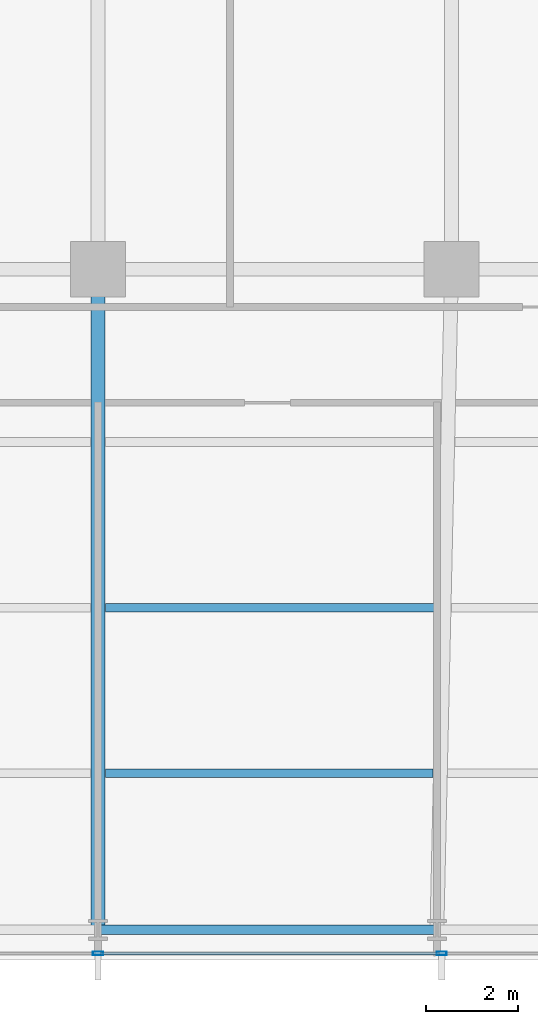
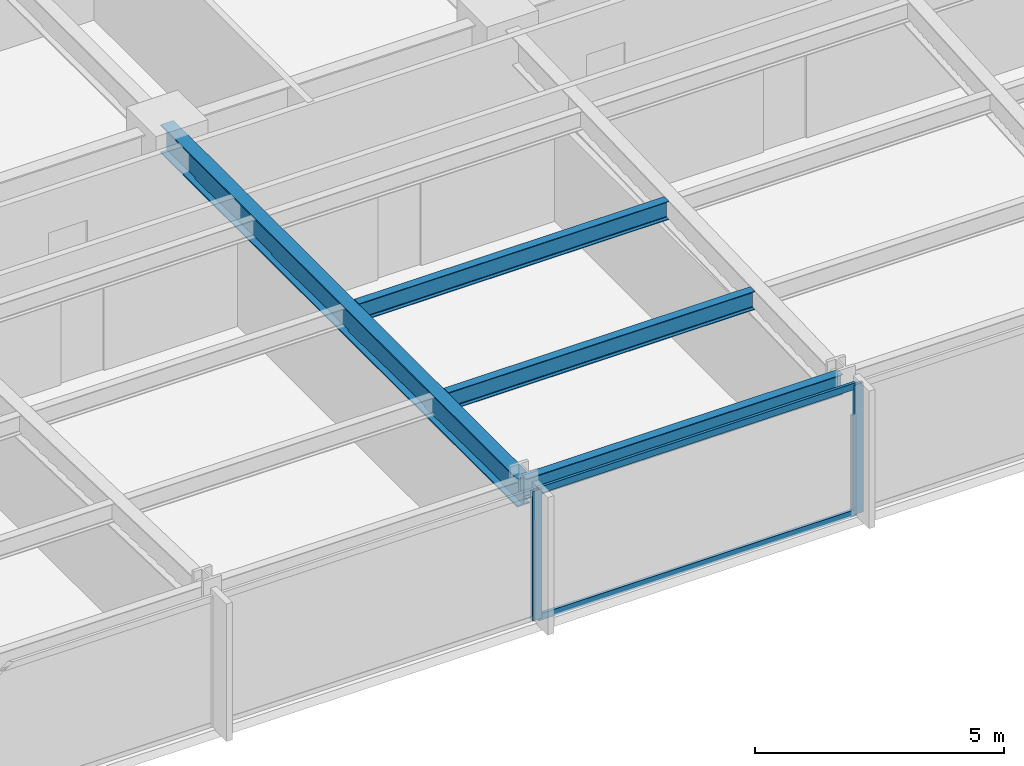
# One storey, part 11 of 32: 4 beams, 4 members, 1 element without a shape of its own.
"""IFC4 building model written with IfcOpenShell, lengths in metres."""

from ifc_helpers import new_model, si_unit, direction, frame, origin, origin_2d, place, context, subcontext, project, spatial, hollow_rectangle, i_section, extrude, material, material_profile, profile_set, type_object, element, aggregate, save


model = new_model("IFC4")

# Units and contexts
model_context = context("Model", 3, precision=1e-05, world=origin(), true_north=direction((0.0, 1.0)))
body_context = subcontext(model_context, "Body", "Model", "MODEL_VIEW")
ifc_project = project(units=[si_unit("LENGTHUNIT", "METRE"), si_unit("AREAUNIT", "SQUARE_METRE"), si_unit("VOLUMEUNIT", "CUBIC_METRE"), si_unit("PLANEANGLEUNIT", "RADIAN"), si_unit("MASSUNIT", "GRAM", prefix="KILO")], contexts=[model_context])

# Site, building, storey
site_placement = place(None, origin())
site = spatial("IfcSite", under=ifc_project, at=site_placement, CompositionType="ELEMENT")
building_placement = place(site_placement, origin())
building = spatial("IfcBuilding", under=site, at=building_placement, Name="Yelkora Congress Tower", CompositionType="ELEMENT")
storey_placement = place(building_placement, frame((0.0, 0.0, 50.800048828125)))
storey = spatial("IfcBuildingStorey", under=building, at=storey_placement, Name="L12", CompositionType="ELEMENT", Elevation=50.800048828125)

# Beams
ifc_material_1 = material(Name="Steel S355J2", Category="steel")
ifc_material_profile_1 = material_profile(ifc_material_1, i_section(OverallWidth=0.300048828125, OverallDepth=0.699951171875, WebThickness=0.01708984375, FlangeThickness=0.031982421875, FilletRadius=0.027099609375, at=origin_2d()), Name="HEB 700")
ifc_profile_set_1 = profile_set([ifc_material_profile_1], Name="Steel S355J2")
beam_type_1 = type_object("IfcBeamType", Name="BM-GIRD-HEB700", PredefinedType="BEAM", material=ifc_profile_set_1)
beam_1_placement = place(storey_placement, frame((38.39990234375, 10.85009765625, 2.829833984375), z_axis=(0.0, 1.0, 0.0), x_axis=(-1.0, 0.0, 0.0)))
element("IfcBeam", 1, at=beam_1_placement, inside=storey, type_object=beam_type_1, Name="L12 Primary Frame Girder S05", PredefinedType="BEAM", context=body_context, shape_type="SweptSolid", body=[
    extrude(i_section(OverallWidth=0.300048828125, OverallDepth=0.699951171875, WebThickness=0.01708984375, FlangeThickness=0.031982421875, FilletRadius=0.027099609375, at=origin_2d()), origin(), (0.0, 0.0, 1.0), 14.349853515625),
])
ifc_material_profile_2 = material_profile(ifc_material_1, i_section(OverallWidth=0.18994140625, OverallDepth=0.449951171875, WebThickness=0.009521484375, FlangeThickness=0.0146484375, FilletRadius=0.02099609375, at=origin_2d()), Name="IPE 450")
ifc_profile_set_2 = profile_set([ifc_material_profile_2], Name="Steel S355J2")
beam_type_2 = type_object("IfcBeamType", Name="BM-JOIST-IPE450", PredefinedType="JOIST", material=ifc_profile_set_2)
beam_2_placement = place(storey_placement, frame((38.56005859375, 14.25, 2.954833984375), z_axis=(1.0, 0.0, 0.0), x_axis=(0.0, 1.0, 0.0)))
element("IfcBeam", 2, at=beam_2_placement, inside=storey, type_object=beam_type_2, Name="L12 Composite Floor Joist 5", PredefinedType="JOIST", context=body_context, shape_type="SweptSolid", body=[
    extrude(i_section(OverallWidth=0.18994140625, OverallDepth=0.449951171875, WebThickness=0.009521484375, FlangeThickness=0.0146484375, FilletRadius=0.02099609375, at=origin_2d()), origin(), (0.0, 0.0, 1.0), 7.11767578125),
])
beam_3_placement = place(storey_placement, frame((38.56005859375, 17.85009765625, 2.954833984375), z_axis=(1.0, 0.0, 0.0), x_axis=(0.0, 1.0, 0.0)))
element("IfcBeam", 3, at=beam_3_placement, inside=storey, type_object=beam_type_2, Name="L12 Composite Floor Joist 13", PredefinedType="JOIST", context=body_context, shape_type="SweptSolid", body=[
    extrude(i_section(OverallWidth=0.18994140625, OverallDepth=0.449951171875, WebThickness=0.009521484375, FlangeThickness=0.0146484375, FilletRadius=0.02099609375, at=origin_2d()), origin(), (0.0, 0.0, 1.0), 7.197265625),
])
ifc_material_profile_3 = material_profile(ifc_material_1, i_section(OverallWidth=0.199951171875, OverallDepth=0.5, WebThickness=0.01025390625, FlangeThickness=0.01611328125, FilletRadius=0.02099609375, at=origin_2d()), Name="IPE 500")
ifc_profile_set_3 = profile_set([ifc_material_profile_3], Name="Steel S355J2")
beam_type_3 = type_object("IfcBeamType", Name="BM-SPAN-IPE500", PredefinedType="SPANDREL", material=ifc_profile_set_3)
beam_4_placement = place(storey_placement, frame((38.39990234375, 10.85009765625, 2.929931640625), z_axis=(1.0, 0.0, 0.0), x_axis=(0.0, 1.0, 0.0)))
element("IfcBeam", 4, at=beam_4_placement, inside=storey, type_object=beam_type_3, Name="L12 Perimeter Beam 6", PredefinedType="SPANDREL", context=body_context, shape_type="SweptSolid", body=[
    extrude(i_section(OverallWidth=0.199951171875, OverallDepth=0.5, WebThickness=0.01025390625, FlangeThickness=0.01611328125, FilletRadius=0.02099609375, at=origin_2d()), origin(), (0.0, 0.0, 1.0), 7.362548828125),
])

# Curtain wall, members
ifc_material_2 = material(Name="Anodised aluminium and insulated glass", Category="aluminium")
curtain_wall_type = type_object("IfcCurtainWallType", Name="CW-SYS-B1", PredefinedType="NOTDEFINED", material=ifc_material_2)
curtain_wall_placement = place(storey_placement, origin())
curtain_wall = element("IfcCurtainWall", 5, at=curtain_wall_placement, inside=storey, type_object=curtain_wall_type, Name="L12 Unitised Curtain Wall 20", PredefinedType="NOTDEFINED")
ifc_material_3 = material(Name="Anodised aluminium 6063-T6", Category="aluminium")
ifc_material_profile_4 = material_profile(ifc_material_3, hollow_rectangle(XDim=0.074951171875, YDim=0.219970703125, WallThickness=0.0048828125, at=origin_2d()), Name="ALU 75x220x5")
ifc_profile_set_4 = profile_set([ifc_material_profile_4], Name="Anodised aluminium 6063-T6")
member_type_1 = type_object("IfcMemberType", Name="MEM-ML-B1", PredefinedType="MULLION", material=ifc_profile_set_4)
member_1_placement = place(storey_placement, frame((45.864990234375, 10.340087890625, 0.0), z_axis=(0.0, 0.0, 1.0), x_axis=(0.0, -1.0, 0.0)))
member_1 = element("IfcMember", 6, at=member_1_placement, type_object=member_type_1, Name="CW-B1 mullion 4", PredefinedType="MULLION", context=body_context, shape_type="SweptSolid", body=[
    extrude(hollow_rectangle(XDim=0.074951171875, YDim=0.219970703125, WallThickness=0.0048828125, at=origin_2d()), origin(), (0.0, 0.0, 1.0), 3.179931640625),
])
member_2_placement = place(storey_placement, frame((38.39990234375, 10.340087890625, 0.0), z_axis=(0.0, 0.0, 1.0), x_axis=(0.0, -1.0, 0.0)))
member_2 = element("IfcMember", 7, at=member_2_placement, type_object=member_type_1, Name="CW-B1 mullion 5", PredefinedType="MULLION", context=body_context, shape_type="SweptSolid", body=[
    extrude(hollow_rectangle(XDim=0.074951171875, YDim=0.219970703125, WallThickness=0.0048828125, at=origin_2d()), origin(), (0.0, 0.0, 1.0), 3.179931640625),
])
ifc_material_profile_5 = material_profile(ifc_material_3, hollow_rectangle(XDim=0.06494140625, YDim=0.159912109375, WallThickness=0.00390625, at=origin_2d()), Name="ALU 65x160x4")
ifc_profile_set_5 = profile_set([ifc_material_profile_5], Name="Anodised aluminium 6063-T6")
member_type_2 = type_object("IfcMemberType", Name="MEM-TR-B1", PredefinedType="USERDEFINED", material=ifc_profile_set_5)
member_3_placement = place(storey_placement, frame((45.827392578125, 10.340087890625, 0.032470703125), z_axis=(-1.0, 0.0, 0.0), x_axis=(0.0, -1.0, 0.0)))
member_3 = element("IfcMember", 8, at=member_3_placement, type_object=member_type_2, Name="CW-B1 transom 4.1", ObjectType="TRANSOM", PredefinedType="USERDEFINED", context=body_context, shape_type="SweptSolid", body=[
    extrude(hollow_rectangle(XDim=0.06494140625, YDim=0.159912109375, WallThickness=0.00390625, at=origin_2d()), origin(), (0.0, 0.0, 1.0), 7.389892578125),
])
member_4_placement = place(storey_placement, frame((45.827392578125, 10.340087890625, 3.1474609375), z_axis=(-1.0, 0.0, 0.0), x_axis=(0.0, -1.0, 0.0)))
member_4 = element("IfcMember", 9, at=member_4_placement, type_object=member_type_2, Name="CW-B1 transom 4.2", ObjectType="TRANSOM", PredefinedType="USERDEFINED", context=body_context, shape_type="SweptSolid", body=[
    extrude(hollow_rectangle(XDim=0.06494140625, YDim=0.159912109375, WallThickness=0.00390625, at=origin_2d()), origin(), (0.0, 0.0, 1.0), 7.389892578125),
])
aggregate(curtain_wall, [member_1, member_2, member_3, member_4])

save(model, "model.ifc")
